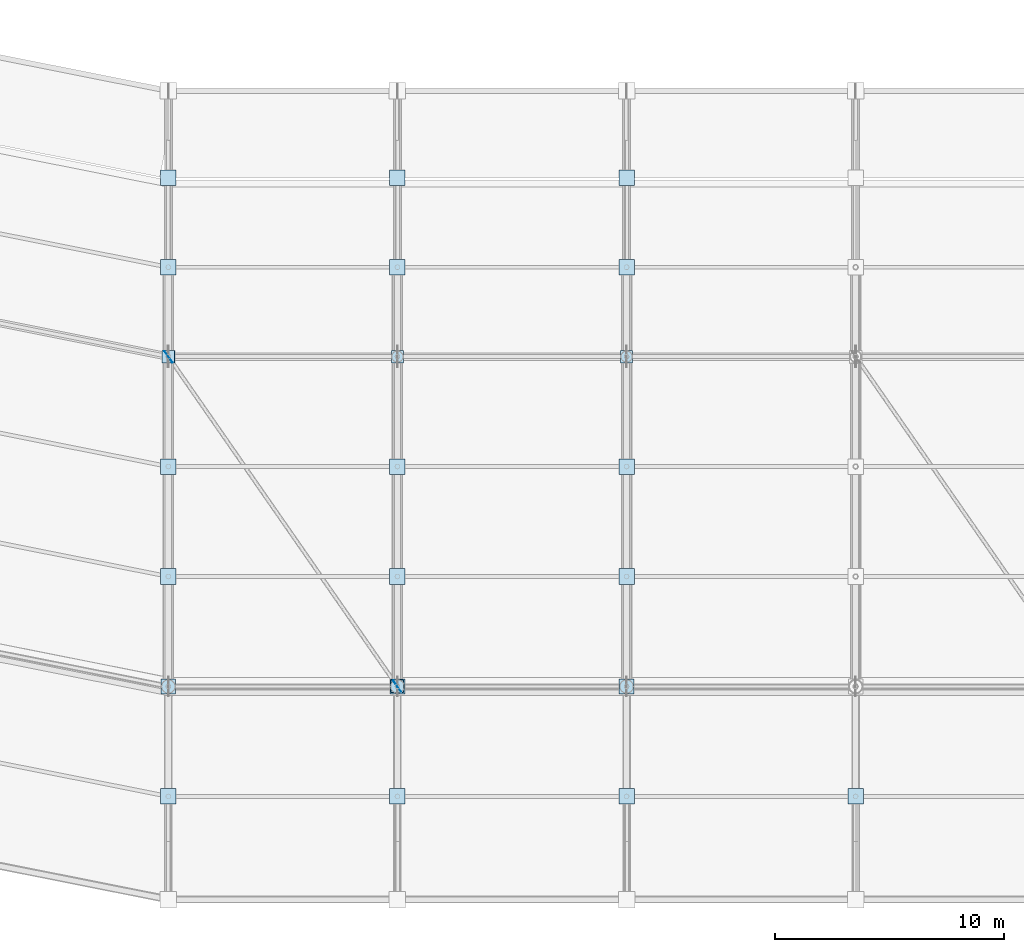
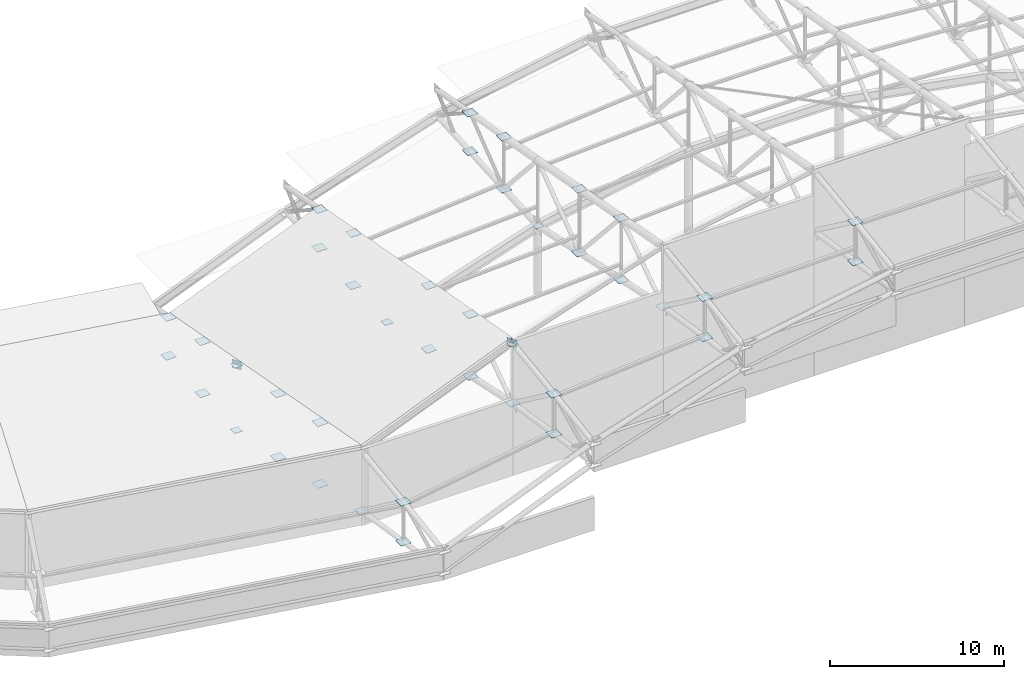
# One storey, part 127 of 146: 42 plates.
"""IFC4 building model written with IfcOpenShell, lengths in metres."""

from ifc_helpers import new_model, si_unit, direction, frame, origin, origin_2d, place, context, subcontext, project, spatial, rectangle, extrude, material, layer, layer_set, type_object, element, save


model = new_model("IFC4")

# Units and contexts
model_context = context("Model", 3, precision=1e-05, world=origin(), true_north=direction((0.0, 1.0)))
body_context = subcontext(model_context, "Body", "Model", "MODEL_VIEW")
ifc_project = project(units=[si_unit("LENGTHUNIT", "METRE"), si_unit("AREAUNIT", "SQUARE_METRE"), si_unit("VOLUMEUNIT", "CUBIC_METRE"), si_unit("PLANEANGLEUNIT", "RADIAN"), si_unit("MASSUNIT", "GRAM", prefix="KILO")], contexts=[model_context])

# Site, building, storey
site_placement = place(None, origin())
site = spatial("IfcSite", under=ifc_project, at=site_placement, CompositionType="ELEMENT")
building_placement = place(site_placement, origin())
building = spatial("IfcBuilding", under=site, at=building_placement, Name="Candeia Ridge Stadium", CompositionType="ELEMENT")
storey_placement = place(building_placement, frame((0.0, 0.0, 31.800048828125)))
storey = spatial("IfcBuildingStorey", under=building, at=storey_placement, Name="RF", CompositionType="ELEMENT", Elevation=31.800048828125)

# Plates
ifc_material = material(Name="Steel ASTM A572 Grade 50", Category="steel")
ifc_layer_1 = layer(ifc_material, 0.02490234375, Name="Steel ASTM A572 Grade 50", Category="steel")
ifc_layer_set_1 = layer_set([ifc_layer_1], Name="Steel ASTM A572 Grade 50")
plate_type_1 = type_object("IfcPlateType", Name="Hollow Section End Closure Plate CP1", PredefinedType="SHEET", material=ifc_layer_set_1)
plate_1_placement = place(storey_placement, frame((71.0, 33.39990234375, -2.676513671875), z_axis=(0.0, 0.0, 1.0), x_axis=(1.0, 0.0, 0.0)))
element("IfcPlate", 1, at=plate_1_placement, inside=storey, type_object=plate_type_1, Name="Hollow section end closure plate MCAP-T-BC-MD-18", PredefinedType="SHEET", context=body_context, shape_type="SweptSolid", body=[
    extrude(rectangle(XDim=0.5400390625, YDim=0.5400390625, at=origin_2d()), origin(), (0.0, 0.0, 1.0), 0.02490234375),
])
plate_2_placement = place(storey_placement, frame((71.0, 19.0, 0.387451171875), z_axis=(0.0, 0.0, 1.0), x_axis=(1.0, 0.0, 0.0)))
element("IfcPlate", 2, at=plate_2_placement, inside=storey, type_object=plate_type_1, Name="Hollow section end closure plate MCAP-T-BC-OU-18", PredefinedType="SHEET", context=body_context, shape_type="SweptSolid", body=[
    extrude(rectangle(XDim=0.639892578125, YDim=0.639892578125, at=origin_2d()), origin(), (0.0, 0.0, 1.0), 0.02490234375),
])
plate_3_placement = place(storey_placement, frame((81.0, 33.39990234375, 1.402099609375), z_axis=(0.0, 0.0, 1.0), x_axis=(1.0, 0.0, 0.0)))
element("IfcPlate", 3, at=plate_3_placement, inside=storey, type_object=plate_type_1, Name="Hollow section end closure plate MCAP-T-BC-MD-19", PredefinedType="SHEET", context=body_context, shape_type="SweptSolid", body=[
    extrude(rectangle(XDim=0.5400390625, YDim=0.5400390625, at=origin_2d()), origin(), (0.0, 0.0, 1.0), 0.02490234375),
])
plate_4_placement = place(storey_placement, frame((81.0, 19.0, 4.466064453125), z_axis=(0.0, 0.0, 1.0), x_axis=(1.0, 0.0, 0.0)))
element("IfcPlate", 4, at=plate_4_placement, inside=storey, type_object=plate_type_1, Name="Hollow section end closure plate MCAP-T-BC-OU-19", PredefinedType="SHEET", context=body_context, shape_type="SweptSolid", body=[
    extrude(rectangle(XDim=0.639892578125, YDim=0.639892578125, at=origin_2d()), origin(), (0.0, 0.0, 1.0), 0.02490234375),
])
plate_5_placement = place(storey_placement, frame((91.0, 33.39990234375, 4.672607421875), z_axis=(0.0, 0.0, 1.0), x_axis=(1.0, 0.0, 0.0)))
element("IfcPlate", 5, at=plate_5_placement, inside=storey, type_object=plate_type_1, Name="Hollow section end closure plate MCAP-T-BC-MD-20", PredefinedType="SHEET", context=body_context, shape_type="SweptSolid", body=[
    extrude(rectangle(XDim=0.5400390625, YDim=0.5400390625, at=origin_2d()), origin(), (0.0, 0.0, 1.0), 0.02490234375),
])
plate_6_placement = place(storey_placement, frame((91.0, 19.0, 7.73681640625), z_axis=(0.0, 0.0, 1.0), x_axis=(1.0, 0.0, 0.0)))
element("IfcPlate", 6, at=plate_6_placement, inside=storey, type_object=plate_type_1, Name="Hollow section end closure plate MCAP-T-BC-OU-20", PredefinedType="SHEET", context=body_context, shape_type="SweptSolid", body=[
    extrude(rectangle(XDim=0.639892578125, YDim=0.639892578125, at=origin_2d()), origin(), (0.0, 0.0, 1.0), 0.02490234375),
])
ifc_layer_2 = layer(ifc_material, 0.02490234375, Name="Steel ASTM A572 Grade 50", Category="steel")
ifc_layer_set_2 = layer_set([ifc_layer_2], Name="Steel ASTM A572 Grade 50")
plate_type_2 = type_object("IfcPlateType", Name="Hollow Section End Closure Plate CP3", PredefinedType="SHEET", material=ifc_layer_set_2)
for number, where, z_axis, x_axis, name in (
    (7, (71.0, 41.199951171875, 0.530517578125), (0.0, 0.0, 1.0), (1.0, 0.0, 0.0), "Hollow section end closure plate NCAP-T-18-1"),
    (8, (71.0, 41.199951171875, -2.186767578125), (0.0, 0.0, 1.0), (1.0, 0.0, 0.0), "Hollow section end closure plate NCAP-B-18-1"),
    (9, (71.0, 37.300048828125, 1.201904296875), (0.0, 0.0, 1.0), (1.0, 0.0, 0.0), "Hollow section end closure plate NCAP-T-18-2"),
    (10, (71.0, 37.300048828125, -2.45654296875), (0.0, 0.0, 1.0), (1.0, 0.0, 0.0), "Hollow section end closure plate NCAP-B-18-2"),
    (11, (71.0, 28.60009765625, 2.8115234375), (0.0, 0.0, 1.0), (1.0, 0.0, 0.0), "Hollow section end closure plate NCAP-T-18-4"),
    (12, (71.0, 28.60009765625, -1.6552734375), (0.0, 0.0, 1.0), (1.0, 0.0, 0.0), "Hollow section end closure plate NCAP-B-18-4"),
    (13, (71.0, 23.800048828125, 3.699462890625), (0.0, 0.0, 1.0), (1.0, 0.0, 0.0), "Hollow section end closure plate NCAP-T-18-5"),
    (14, (71.0, 23.800048828125, -0.6337890625), (0.0, 0.0, 1.0), (1.0, 0.0, 0.0), "Hollow section end closure plate NCAP-B-18-5"),
    (15, (71.0, 14.199951171875, 3.94580078125), (0.0, 0.0, 1.0), (1.0, 0.0, 0.0), "Hollow section end closure plate NCAP-T-18-7"),
    (16, (71.0, 14.199951171875, 1.139404296875), (0.0, 0.0, 1.0), (1.0, 0.0, 0.0), "Hollow section end closure plate NCAP-B-18-7"),
):
    element("IfcPlate", number, at=place(storey_placement, frame(where, z_axis=z_axis, x_axis=x_axis)), inside=storey, type_object=plate_type_2, Name=name, PredefinedType="SHEET", context=body_context, shape_type="SweptSolid", body=[
        extrude(rectangle(XDim=0.679931640625, YDim=0.679931640625, at=origin_2d()), origin(), (0.0, 0.0, 1.0), 0.02490234375),
    ])
for number, where, z_axis, x_axis, name in (
    (17, (71.0107421875, 33.384765625, 1.9306640625), (0.0, 0.0, 1.0), (1.0, 0.0, 0.0), "Hollow section end closure plate WBCAP-A-18"),
    (18, (80.9892578125, 19.015380859375, 8.658935546875), (0.0, 0.0, 1.0), (1.0, 0.0, 0.0), "Hollow section end closure plate WBCAP-B-18"),
):
    element("IfcPlate", number, at=place(storey_placement, frame(where, z_axis=z_axis, x_axis=x_axis)), inside=storey, type_object=plate_type_2, Name=name, PredefinedType="SHEET", context=body_context, shape_type="SweptSolid", body=[
        extrude(rectangle(XDim=0.550048828125, YDim=0.550048828125, at=origin_2d()), origin(), (0.0, 0.0, 1.0), 0.02490234375),
    ])
for number, where, z_axis, x_axis, name in (
    (19, (81.0, 41.199951171875, 4.60888671875), (0.0, 0.0, 1.0), (1.0, 0.0, 0.0), "Hollow section end closure plate NCAP-T-19-1"),
    (20, (81.0, 41.199951171875, 1.891845703125), (0.0, 0.0, 1.0), (1.0, 0.0, 0.0), "Hollow section end closure plate NCAP-B-19-1"),
    (21, (81.0, 37.300048828125, 5.280517578125), (0.0, 0.0, 1.0), (1.0, 0.0, 0.0), "Hollow section end closure plate NCAP-T-19-2"),
    (22, (81.0, 37.300048828125, 1.621826171875), (0.0, 0.0, 1.0), (1.0, 0.0, 0.0), "Hollow section end closure plate NCAP-B-19-2"),
    (23, (81.0, 28.60009765625, 6.889892578125), (0.0, 0.0, 1.0), (1.0, 0.0, 0.0), "Hollow section end closure plate NCAP-T-19-4"),
    (24, (81.0, 28.60009765625, 2.42333984375), (0.0, 0.0, 1.0), (1.0, 0.0, 0.0), "Hollow section end closure plate NCAP-B-19-4"),
    (25, (81.0, 23.800048828125, 7.778076171875), (0.0, 0.0, 1.0), (1.0, 0.0, 0.0), "Hollow section end closure plate NCAP-T-19-5"),
    (26, (81.0, 23.800048828125, 3.444580078125), (0.0, 0.0, 1.0), (1.0, 0.0, 0.0), "Hollow section end closure plate NCAP-B-19-5"),
    (27, (81.0, 14.199951171875, 8.0244140625), (0.0, 0.0, 1.0), (1.0, 0.0, 0.0), "Hollow section end closure plate NCAP-T-19-7"),
    (28, (81.0, 14.199951171875, 5.218017578125), (0.0, 0.0, 1.0), (1.0, 0.0, 0.0), "Hollow section end closure plate NCAP-B-19-7"),
    (29, (91.0, 41.199951171875, 7.879638671875), (0.0, 0.0, 1.0), (1.0, 0.0, 0.0), "Hollow section end closure plate NCAP-T-20-1"),
    (30, (91.0, 41.199951171875, 5.16259765625), (0.0, 0.0, 1.0), (1.0, 0.0, 0.0), "Hollow section end closure plate NCAP-B-20-1"),
    (31, (91.0, 37.300048828125, 8.55126953125), (0.0, 0.0, 1.0), (1.0, 0.0, 0.0), "Hollow section end closure plate NCAP-T-20-2"),
    (32, (91.0, 37.300048828125, 4.892578125), (0.0, 0.0, 1.0), (1.0, 0.0, 0.0), "Hollow section end closure plate NCAP-B-20-2"),
    (33, (91.0, 28.60009765625, 10.16064453125), (0.0, 0.0, 1.0), (1.0, 0.0, 0.0), "Hollow section end closure plate NCAP-T-20-4"),
    (34, (91.0, 28.60009765625, 5.694091796875), (0.0, 0.0, 1.0), (1.0, 0.0, 0.0), "Hollow section end closure plate NCAP-B-20-4"),
    (35, (91.0, 23.800048828125, 11.048583984375), (0.0, 0.0, 1.0), (1.0, 0.0, 0.0), "Hollow section end closure plate NCAP-T-20-5"),
    (36, (91.0, 23.800048828125, 6.71533203125), (0.0, 0.0, 1.0), (1.0, 0.0, 0.0), "Hollow section end closure plate NCAP-B-20-5"),
    (37, (91.0, 14.199951171875, 11.295166015625), (0.0, 0.0, 1.0), (1.0, 0.0, 0.0), "Hollow section end closure plate NCAP-T-20-7"),
    (38, (91.0, 14.199951171875, 8.488525390625), (0.0, 0.0, 1.0), (1.0, 0.0, 0.0), "Hollow section end closure plate NCAP-B-20-7"),
    (39, (101.0, 14.199951171875, 13.110107421875), (0.0, 0.0, 1.0), (1.0, 0.0, 0.0), "Hollow section end closure plate NCAP-T-21-7"),
    (40, (101.0, 14.199951171875, 10.3037109375), (0.0, 0.0, 1.0), (1.0, 0.0, 0.0), "Hollow section end closure plate NCAP-B-21-7"),
):
    element("IfcPlate", number, at=place(storey_placement, frame(where, z_axis=z_axis, x_axis=x_axis)), inside=storey, type_object=plate_type_2, Name=name, PredefinedType="SHEET", context=body_context, shape_type="SweptSolid", body=[
        extrude(rectangle(XDim=0.679931640625, YDim=0.679931640625, at=origin_2d()), origin(), (0.0, 0.0, 1.0), 0.02490234375),
    ])
ifc_layer_3 = layer(ifc_material, 0.02392578125, Name="Steel ASTM A572 Grade 50", Category="steel")
ifc_layer_set_3 = layer_set([ifc_layer_3], Name="Steel ASTM A572 Grade 50")
plate_type_3 = type_object("IfcPlateType", Name="Roof Truss Chord-Web Node Gusset ND-3", PredefinedType="USERDEFINED", material=ifc_layer_set_3)
for number, where, z_axis, x_axis, name in (
    (41, (71.0107421875, 33.384765625, 1.64306640625), (0.0, 0.0, 1.0), (0.570395359839, -0.821370277934, 0.0), "Roof wind brace end gusset A bay 19"),
    (42, (80.9892578125, 19.015380859375, 8.371337890625), (0.0, 0.0, 1.0), (0.570395359839, -0.821370277934, 0.0), "Roof wind brace end gusset B bay 19"),
):
    element("IfcPlate", number, at=place(storey_placement, frame(where, z_axis=z_axis, x_axis=x_axis)), inside=storey, type_object=plate_type_3, Name=name, ObjectType="GUSSET PLATE", PredefinedType="USERDEFINED", context=body_context, shape_type="SweptSolid", body=[
        extrude(rectangle(XDim=0.60009765625, YDim=0.02392578125, at=origin_2d()), origin(), (0.0, 0.0, 1.0), 0.60009765625),
    ])

save(model, "model.ifc")
